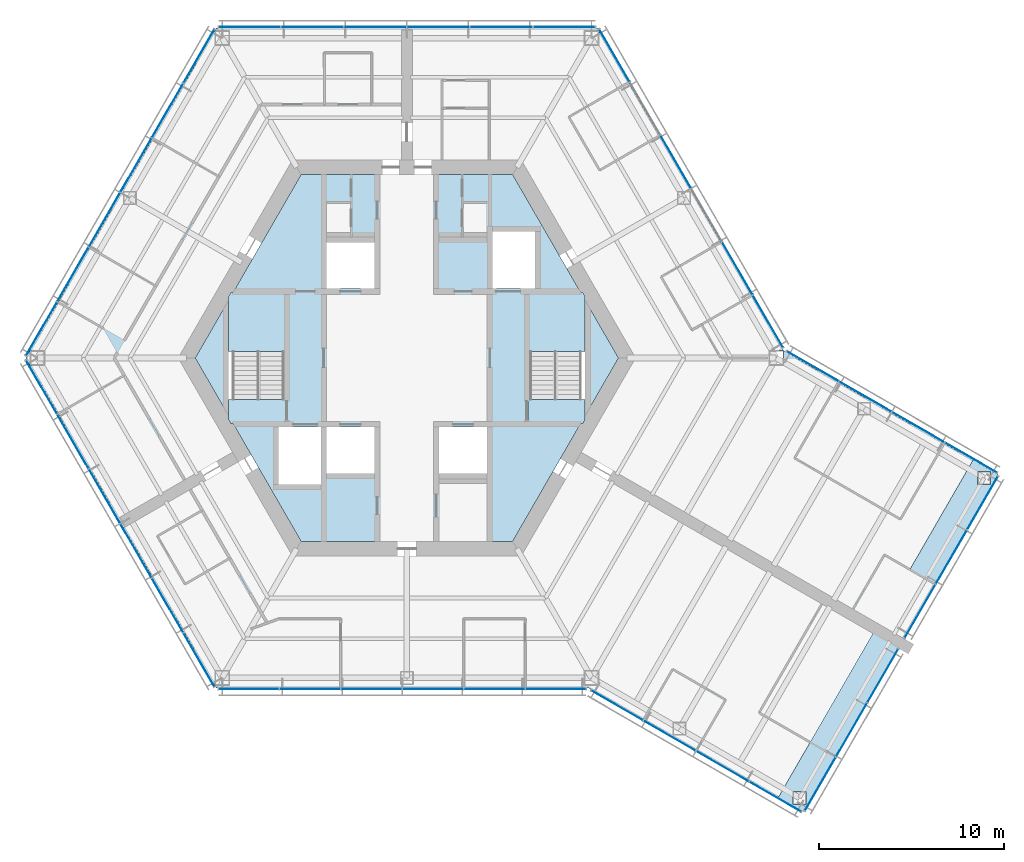
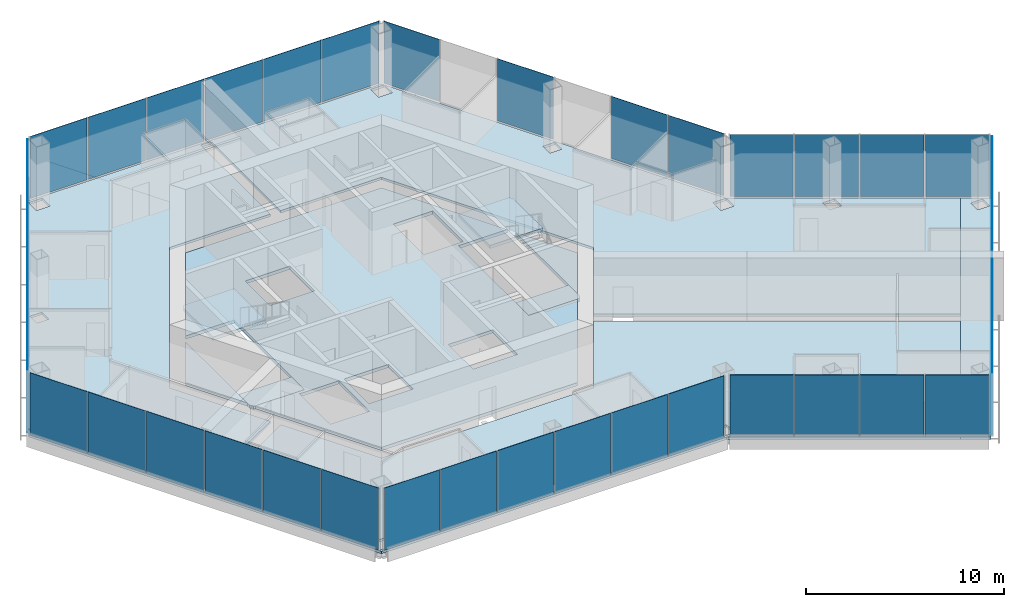
# One storey, part 8 of 16: 42 plates, 9 slabs, 11 elements without a shape of their own.
"""IFC4 building model written with IfcOpenShell, lengths in metres."""

from ifc_helpers import new_model, si_unit, direction, frame, origin, origin_2d, place, context, subcontext, project, spatial, polyline, rectangle, outline, extrude, material, layer, layer_set, type_object, element, aggregate, save


model = new_model("IFC4")

# Units and contexts
model_context = context("Model", 3, precision=1e-05, world=origin(), true_north=direction((0.0, 1.0)))
body_context = subcontext(model_context, "Body", "Model", "MODEL_VIEW")
ifc_project = project(units=[si_unit("LENGTHUNIT", "METRE"), si_unit("AREAUNIT", "SQUARE_METRE"), si_unit("VOLUMEUNIT", "CUBIC_METRE"), si_unit("PLANEANGLEUNIT", "RADIAN"), si_unit("MASSUNIT", "GRAM", prefix="KILO")], contexts=[model_context])

# Site, building, storey
site_placement = place(None, origin())
site = spatial("IfcSite", under=ifc_project, at=site_placement, CompositionType="ELEMENT")
building_placement = place(site_placement, origin())
building = spatial("IfcBuilding", under=site, at=building_placement, Name="Kasaneha Research Tower", CompositionType="ELEMENT")
storey_placement = place(building_placement, frame((0.0, 0.0, 255.699951171875)))
storey = spatial("IfcBuildingStorey", under=building, at=storey_placement, Name="L64", CompositionType="ELEMENT", Elevation=255.699951171875)

# Curtain wall, plates
ifc_material_1 = material(Name="Glass and aluminium", Category="aluminium")
curtain_wall_type = type_object("IfcCurtainWallType", Name="High-rise office curtain wall", PredefinedType="USERDEFINED", material=ifc_material_1)
curtain_wall_1_placement = place(storey_placement, origin())
curtain_wall_1 = element("IfcCurtainWall", 1, at=curtain_wall_1_placement, inside=storey, type_object=curtain_wall_type, Name="CW-O3 L64 run 01a", ObjectType="UNITISED CURTAIN WALL", PredefinedType="USERDEFINED")
ifc_material_2 = material(Name="Laminated double glazing", Category="glass")
ifc_layer_1 = layer(ifc_material_2, 0.02392578125)
ifc_layer_set_1 = layer_set([ifc_layer_1], Name="CW-O3 glazed panel")
plate_type = type_object("IfcPlateType", Name="CW-O3 glazed panel", PredefinedType="CURTAIN_PANEL", material=ifc_layer_set_1)
plate_1_placement = place(storey_placement, frame((19.549072265625, 1.981201171875, 0.06005859375), z_axis=(0.0, 0.0, 1.0), x_axis=(-0.499999979232, 0.866025415775, 0.0)))
plate_1 = element("IfcPlate", 2, at=plate_1_placement, type_object=plate_type, Name="CW-O3 panel 1", PredefinedType="CURTAIN_PANEL", context=body_context, shape_type="SweptSolid", body=[
    extrude(rectangle(XDim=3.240966796875, YDim=0.02392578125, at=origin_2d()), origin(), (0.0, 0.0, 1.0), 3.840087890625),
])
plate_2_placement = place(storey_placement, frame((17.89111328125, 4.852783203125, 0.06005859375), z_axis=(0.0, 0.0, 1.0), x_axis=(-0.499999979232, 0.866025415775, 0.0)))
plate_2 = element("IfcPlate", 3, at=plate_2_placement, type_object=plate_type, Name="CW-O3 panel 2", PredefinedType="CURTAIN_PANEL", context=body_context, shape_type="SweptSolid", body=[
    extrude(rectangle(XDim=3.27099609375, YDim=0.02392578125, at=origin_2d()), origin(), (0.0, 0.0, 1.0), 3.840087890625),
])
plate_3_placement = place(storey_placement, frame((14.56005859375, 10.622314453125, 0.06005859375), z_axis=(0.0, 0.0, 1.0), x_axis=(-0.499999979232, 0.866025415775, 0.0)))
plate_3 = element("IfcPlate", 4, at=plate_3_placement, type_object=plate_type, Name="CW-O3 panel 4", PredefinedType="CURTAIN_PANEL", context=body_context, shape_type="SweptSolid", body=[
    extrude(rectangle(XDim=3.27099609375, YDim=0.02392578125, at=origin_2d()), origin(), (0.0, 0.0, 1.0), 3.840087890625),
])
plate_4_placement = place(storey_placement, frame((11.236572265625, 16.378662109375, 0.06005859375), z_axis=(0.0, 0.0, 1.0), x_axis=(-0.499999979232, 0.866025415775, 0.0)))
plate_4 = element("IfcPlate", 5, at=plate_4_placement, type_object=plate_type, Name="CW-O3 panel 6", PredefinedType="CURTAIN_PANEL", context=body_context, shape_type="SweptSolid", body=[
    extrude(rectangle(XDim=3.240966796875, YDim=0.02392578125, at=origin_2d()), origin(), (0.0, 0.0, 1.0), 3.840087890625),
])
aggregate(curtain_wall_1, [plate_1, plate_2, plate_3, plate_4])

curtain_wall_2_placement = place(storey_placement, origin())
curtain_wall_2 = element("IfcCurtainWall", 6, at=curtain_wall_2_placement, inside=storey, type_object=curtain_wall_type, Name="CW-O3 L64 run 02a", ObjectType="UNITISED CURTAIN WALL", PredefinedType="USERDEFINED")
plate_5_placement = place(storey_placement, frame((8.523681640625, 17.92041015625, 0.06005859375), z_axis=(0.0, 0.0, 1.0), x_axis=(-1.0, 0.0, 0.0)))
plate_5 = element("IfcPlate", 7, at=plate_5_placement, type_object=plate_type, Name="CW-O3 panel 1", PredefinedType="CURTAIN_PANEL", context=body_context, shape_type="SweptSolid", body=[
    extrude(rectangle(XDim=3.325439453125, YDim=0.02392578125, at=origin_2d()), origin(), (0.0, 0.0, 1.0), 3.840087890625),
])
plate_6_placement = place(storey_placement, frame((5.123291015625, 17.92041015625, 0.06005859375), z_axis=(0.0, 0.0, 1.0), x_axis=(-1.0, 0.0, 0.0)))
plate_6 = element("IfcPlate", 8, at=plate_6_placement, type_object=plate_type, Name="CW-O3 panel 2", PredefinedType="CURTAIN_PANEL", context=body_context, shape_type="SweptSolid", body=[
    extrude(rectangle(XDim=3.35546875, YDim=0.02392578125, at=origin_2d()), origin(), (0.0, 0.0, 1.0), 3.840087890625),
])
plate_7_placement = place(storey_placement, frame((1.707763671875, 17.92041015625, 0.06005859375), z_axis=(0.0, 0.0, 1.0), x_axis=(-1.0, 0.0, 0.0)))
plate_7 = element("IfcPlate", 9, at=plate_7_placement, type_object=plate_type, Name="CW-O3 panel 3", PredefinedType="CURTAIN_PANEL", context=body_context, shape_type="SweptSolid", body=[
    extrude(rectangle(XDim=3.35546875, YDim=0.02392578125, at=origin_2d()), origin(), (0.0, 0.0, 1.0), 3.840087890625),
])
plate_8_placement = place(storey_placement, frame((-1.707763671875, 17.92041015625, 0.06005859375), z_axis=(0.0, 0.0, 1.0), x_axis=(-1.0, 0.0, 0.0)))
plate_8 = element("IfcPlate", 10, at=plate_8_placement, type_object=plate_type, Name="CW-O3 panel 4", PredefinedType="CURTAIN_PANEL", context=body_context, shape_type="SweptSolid", body=[
    extrude(rectangle(XDim=3.35546875, YDim=0.02392578125, at=origin_2d()), origin(), (0.0, 0.0, 1.0), 3.840087890625),
])
plate_9_placement = place(storey_placement, frame((-5.123291015625, 17.92041015625, 0.06005859375), z_axis=(0.0, 0.0, 1.0), x_axis=(-1.0, 0.0, 0.0)))
plate_9 = element("IfcPlate", 11, at=plate_9_placement, type_object=plate_type, Name="CW-O3 panel 5", PredefinedType="CURTAIN_PANEL", context=body_context, shape_type="SweptSolid", body=[
    extrude(rectangle(XDim=3.35546875, YDim=0.02392578125, at=origin_2d()), origin(), (0.0, 0.0, 1.0), 3.840087890625),
])
plate_10_placement = place(storey_placement, frame((-8.523681640625, 17.92041015625, 0.06005859375), z_axis=(0.0, 0.0, 1.0), x_axis=(-1.0, 0.0, 0.0)))
plate_10 = element("IfcPlate", 12, at=plate_10_placement, type_object=plate_type, Name="CW-O3 panel 6", PredefinedType="CURTAIN_PANEL", context=body_context, shape_type="SweptSolid", body=[
    extrude(rectangle(XDim=3.325439453125, YDim=0.02392578125, at=origin_2d()), origin(), (0.0, 0.0, 1.0), 3.840087890625),
])
aggregate(curtain_wall_2, [plate_5, plate_6, plate_7, plate_8, plate_9, plate_10])

curtain_wall_3_placement = place(storey_placement, origin())
curtain_wall_3 = element("IfcCurtainWall", 13, at=curtain_wall_3_placement, inside=storey, type_object=curtain_wall_type, Name="CW-O3 L64 run 03a", ObjectType="UNITISED CURTAIN WALL", PredefinedType="USERDEFINED")
plate_11_placement = place(storey_placement, frame((-11.2578125, 16.342041015625, 0.06005859375), z_axis=(0.0, 0.0, 1.0), x_axis=(-0.499999995722, -0.866025406254, 0.0)))
plate_11 = element("IfcPlate", 14, at=plate_11_placement, type_object=plate_type, Name="CW-O3 panel 1", PredefinedType="CURTAIN_PANEL", context=body_context, shape_type="SweptSolid", body=[
    extrude(rectangle(XDim=3.325439453125, YDim=0.02392578125, at=origin_2d()), origin(), (0.0, 0.0, 1.0), 3.840087890625),
])
plate_12_placement = place(storey_placement, frame((-12.9580078125, 13.39697265625, 0.06005859375), z_axis=(0.0, 0.0, 1.0), x_axis=(-0.499999995722, -0.866025406254, 0.0)))
plate_12 = element("IfcPlate", 15, at=plate_12_placement, type_object=plate_type, Name="CW-O3 panel 2", PredefinedType="CURTAIN_PANEL", context=body_context, shape_type="SweptSolid", body=[
    extrude(rectangle(XDim=3.35546875, YDim=0.02392578125, at=origin_2d()), origin(), (0.0, 0.0, 1.0), 3.840087890625),
])
plate_13_placement = place(storey_placement, frame((-14.665771484375, 10.439208984375, 0.06005859375), z_axis=(0.0, 0.0, 1.0), x_axis=(-0.499999995722, -0.866025406254, 0.0)))
plate_13 = element("IfcPlate", 16, at=plate_13_placement, type_object=plate_type, Name="CW-O3 panel 3", PredefinedType="CURTAIN_PANEL", context=body_context, shape_type="SweptSolid", body=[
    extrude(rectangle(XDim=3.35546875, YDim=0.02392578125, at=origin_2d()), origin(), (0.0, 0.0, 1.0), 3.840087890625),
])
plate_14_placement = place(storey_placement, frame((-16.37353515625, 7.481201171875, 0.06005859375), z_axis=(0.0, 0.0, 1.0), x_axis=(-0.499999995722, -0.866025406254, 0.0)))
plate_14 = element("IfcPlate", 17, at=plate_14_placement, type_object=plate_type, Name="CW-O3 panel 4", PredefinedType="CURTAIN_PANEL", context=body_context, shape_type="SweptSolid", body=[
    extrude(rectangle(XDim=3.35546875, YDim=0.02392578125, at=origin_2d()), origin(), (0.0, 0.0, 1.0), 3.840087890625),
])
plate_15_placement = place(storey_placement, frame((-18.081298828125, 4.5234375, 0.06005859375), z_axis=(0.0, 0.0, 1.0), x_axis=(-0.499999995722, -0.866025406254, 0.0)))
plate_15 = element("IfcPlate", 18, at=plate_15_placement, type_object=plate_type, Name="CW-O3 panel 5", PredefinedType="CURTAIN_PANEL", context=body_context, shape_type="SweptSolid", body=[
    extrude(rectangle(XDim=3.35546875, YDim=0.02392578125, at=origin_2d()), origin(), (0.0, 0.0, 1.0), 3.840087890625),
])
plate_16_placement = place(storey_placement, frame((-19.781494140625, 1.57861328125, 0.06005859375), z_axis=(0.0, 0.0, 1.0), x_axis=(-0.499999995722, -0.866025406254, 0.0)))
plate_16 = element("IfcPlate", 19, at=plate_16_placement, type_object=plate_type, Name="CW-O3 panel 6", PredefinedType="CURTAIN_PANEL", context=body_context, shape_type="SweptSolid", body=[
    extrude(rectangle(XDim=3.325439453125, YDim=0.02392578125, at=origin_2d()), origin(), (0.0, 0.0, 1.0), 3.840087890625),
])
aggregate(curtain_wall_3, [plate_11, plate_12, plate_13, plate_14, plate_15, plate_16])

curtain_wall_4_placement = place(storey_placement, origin())
curtain_wall_4 = element("IfcCurtainWall", 20, at=curtain_wall_4_placement, inside=storey, type_object=curtain_wall_type, Name="CW-O3 L64 run 04a", ObjectType="UNITISED CURTAIN WALL", PredefinedType="USERDEFINED")
plate_17_placement = place(storey_placement, frame((-19.781494140625, -1.57861328125, 0.06005859375), z_axis=(0.0, 0.0, 1.0), x_axis=(0.499999995722, -0.866025406254, 0.0)))
plate_17 = element("IfcPlate", 21, at=plate_17_placement, type_object=plate_type, Name="CW-O3 panel 1", PredefinedType="CURTAIN_PANEL", context=body_context, shape_type="SweptSolid", body=[
    extrude(rectangle(XDim=3.325439453125, YDim=0.02392578125, at=origin_2d()), origin(), (0.0, 0.0, 1.0), 3.840087890625),
])
plate_18_placement = place(storey_placement, frame((-18.081298828125, -4.5234375, 0.06005859375), z_axis=(0.0, 0.0, 1.0), x_axis=(0.499999995722, -0.866025406254, 0.0)))
plate_18 = element("IfcPlate", 22, at=plate_18_placement, type_object=plate_type, Name="CW-O3 panel 2", PredefinedType="CURTAIN_PANEL", context=body_context, shape_type="SweptSolid", body=[
    extrude(rectangle(XDim=3.35546875, YDim=0.02392578125, at=origin_2d()), origin(), (0.0, 0.0, 1.0), 3.840087890625),
])
plate_19_placement = place(storey_placement, frame((-16.37353515625, -7.481201171875, 0.06005859375), z_axis=(0.0, 0.0, 1.0), x_axis=(0.499999995722, -0.866025406254, 0.0)))
plate_19 = element("IfcPlate", 23, at=plate_19_placement, type_object=plate_type, Name="CW-O3 panel 3", PredefinedType="CURTAIN_PANEL", context=body_context, shape_type="SweptSolid", body=[
    extrude(rectangle(XDim=3.35546875, YDim=0.02392578125, at=origin_2d()), origin(), (0.0, 0.0, 1.0), 3.840087890625),
])
plate_20_placement = place(storey_placement, frame((-14.665771484375, -10.439208984375, 0.06005859375), z_axis=(0.0, 0.0, 1.0), x_axis=(0.499999995722, -0.866025406254, 0.0)))
plate_20 = element("IfcPlate", 24, at=plate_20_placement, type_object=plate_type, Name="CW-O3 panel 4", PredefinedType="CURTAIN_PANEL", context=body_context, shape_type="SweptSolid", body=[
    extrude(rectangle(XDim=3.35546875, YDim=0.02392578125, at=origin_2d()), origin(), (0.0, 0.0, 1.0), 3.840087890625),
])
plate_21_placement = place(storey_placement, frame((-12.9580078125, -13.39697265625, 0.06005859375), z_axis=(0.0, 0.0, 1.0), x_axis=(0.499999995722, -0.866025406254, 0.0)))
plate_21 = element("IfcPlate", 25, at=plate_21_placement, type_object=plate_type, Name="CW-O3 panel 5", PredefinedType="CURTAIN_PANEL", context=body_context, shape_type="SweptSolid", body=[
    extrude(rectangle(XDim=3.35546875, YDim=0.02392578125, at=origin_2d()), origin(), (0.0, 0.0, 1.0), 3.840087890625),
])
plate_22_placement = place(storey_placement, frame((-11.2578125, -16.342041015625, 0.06005859375), z_axis=(0.0, 0.0, 1.0), x_axis=(0.499999995722, -0.866025406254, 0.0)))
plate_22 = element("IfcPlate", 26, at=plate_22_placement, type_object=plate_type, Name="CW-O3 panel 6", PredefinedType="CURTAIN_PANEL", context=body_context, shape_type="SweptSolid", body=[
    extrude(rectangle(XDim=3.325439453125, YDim=0.02392578125, at=origin_2d()), origin(), (0.0, 0.0, 1.0), 3.840087890625),
])
aggregate(curtain_wall_4, [plate_17, plate_18, plate_19, plate_20, plate_21, plate_22])

curtain_wall_5_placement = place(storey_placement, origin())
curtain_wall_5 = element("IfcCurtainWall", 27, at=curtain_wall_5_placement, inside=storey, type_object=curtain_wall_type, Name="CW-O3 L64 run 05a", ObjectType="UNITISED CURTAIN WALL", PredefinedType="USERDEFINED")
plate_23_placement = place(storey_placement, frame((-8.56591796875, -17.92041015625, 0.06005859375), z_axis=(0.0, 0.0, 1.0), x_axis=(1.0, 0.0, 0.0)))
plate_23 = element("IfcPlate", 28, at=plate_23_placement, type_object=plate_type, Name="CW-O3 panel 1", PredefinedType="CURTAIN_PANEL", context=body_context, shape_type="SweptSolid", body=[
    extrude(rectangle(XDim=3.240966796875, YDim=0.02392578125, at=origin_2d()), origin(), (0.0, 0.0, 1.0), 3.840087890625),
])
plate_24_placement = place(storey_placement, frame((-5.25, -17.92041015625, 0.06005859375), z_axis=(0.0, 0.0, 1.0), x_axis=(1.0, 0.0, 0.0)))
plate_24 = element("IfcPlate", 29, at=plate_24_placement, type_object=plate_type, Name="CW-O3 panel 2", PredefinedType="CURTAIN_PANEL", context=body_context, shape_type="SweptSolid", body=[
    extrude(rectangle(XDim=3.27099609375, YDim=0.02392578125, at=origin_2d()), origin(), (0.0, 0.0, 1.0), 3.840087890625),
])
plate_25_placement = place(storey_placement, frame((-1.9189453125, -17.92041015625, 0.06005859375), z_axis=(0.0, 0.0, 1.0), x_axis=(1.0, 0.0, 0.0)))
plate_25 = element("IfcPlate", 30, at=plate_25_placement, type_object=plate_type, Name="CW-O3 panel 3", PredefinedType="CURTAIN_PANEL", context=body_context, shape_type="SweptSolid", body=[
    extrude(rectangle(XDim=3.27099609375, YDim=0.02392578125, at=origin_2d()), origin(), (0.0, 0.0, 1.0), 3.840087890625),
])
plate_26_placement = place(storey_placement, frame((1.411865234375, -17.92041015625, 0.06005859375), z_axis=(0.0, 0.0, 1.0), x_axis=(1.0, 0.0, 0.0)))
plate_26 = element("IfcPlate", 31, at=plate_26_placement, type_object=plate_type, Name="CW-O3 panel 4", PredefinedType="CURTAIN_PANEL", context=body_context, shape_type="SweptSolid", body=[
    extrude(rectangle(XDim=3.27099609375, YDim=0.02392578125, at=origin_2d()), origin(), (0.0, 0.0, 1.0), 3.840087890625),
])
plate_27_placement = place(storey_placement, frame((4.742919921875, -17.92041015625, 0.06005859375), z_axis=(0.0, 0.0, 1.0), x_axis=(1.0, 0.0, 0.0)))
plate_27 = element("IfcPlate", 32, at=plate_27_placement, type_object=plate_type, Name="CW-O3 panel 5", PredefinedType="CURTAIN_PANEL", context=body_context, shape_type="SweptSolid", body=[
    extrude(rectangle(XDim=3.27099609375, YDim=0.02392578125, at=origin_2d()), origin(), (0.0, 0.0, 1.0), 3.840087890625),
])
plate_28_placement = place(storey_placement, frame((8.058837890625, -17.92041015625, 0.06005859375), z_axis=(0.0, 0.0, 1.0), x_axis=(1.0, 0.0, 0.0)))
plate_28 = element("IfcPlate", 33, at=plate_28_placement, type_object=plate_type, Name="CW-O3 panel 6", PredefinedType="CURTAIN_PANEL", context=body_context, shape_type="SweptSolid", body=[
    extrude(rectangle(XDim=3.240966796875, YDim=0.02392578125, at=origin_2d()), origin(), (0.0, 0.0, 1.0), 3.840087890625),
])
aggregate(curtain_wall_5, [plate_23, plate_24, plate_25, plate_26, plate_27, plate_28])

curtain_wall_6_placement = place(storey_placement, origin())
curtain_wall_6 = element("IfcCurtainWall", 34, at=curtain_wall_6_placement, inside=storey, type_object=curtain_wall_type, Name="CW-O3 L64 run 06a", ObjectType="UNITISED CURTAIN WALL", PredefinedType="USERDEFINED")
plate_29_placement = place(storey_placement, frame((11.3720703125, -18.805419921875, 0.06005859375), z_axis=(0.0, 0.0, 1.0), x_axis=(0.866025411464, -0.499999986699, 0.0)))
plate_29 = element("IfcPlate", 35, at=plate_29_placement, type_object=plate_type, Name="CW-O3 panel 1", PredefinedType="CURTAIN_PANEL", context=body_context, shape_type="SweptSolid", body=[
    extrude(rectangle(XDim=3.2197265625, YDim=0.02392578125, at=origin_2d()), origin(), (0.0, 0.0, 1.0), 3.840087890625),
])
plate_30_placement = place(storey_placement, frame((14.225341796875, -20.452880859375, 0.06005859375), z_axis=(0.0, 0.0, 1.0), x_axis=(0.866025411464, -0.499999986699, 0.0)))
plate_30 = element("IfcPlate", 36, at=plate_30_placement, type_object=plate_type, Name="CW-O3 panel 2", PredefinedType="CURTAIN_PANEL", context=body_context, shape_type="SweptSolid", body=[
    extrude(rectangle(XDim=3.249755859375, YDim=0.02392578125, at=origin_2d()), origin(), (0.0, 0.0, 1.0), 3.840087890625),
])
plate_31_placement = place(storey_placement, frame((17.091796875, -22.107666015625, 0.06005859375), z_axis=(0.0, 0.0, 1.0), x_axis=(0.866025411464, -0.499999986699, 0.0)))
plate_31 = element("IfcPlate", 37, at=plate_31_placement, type_object=plate_type, Name="CW-O3 panel 3", PredefinedType="CURTAIN_PANEL", context=body_context, shape_type="SweptSolid", body=[
    extrude(rectangle(XDim=3.249755859375, YDim=0.02392578125, at=origin_2d()), origin(), (0.0, 0.0, 1.0), 3.840087890625),
])
plate_32_placement = place(storey_placement, frame((19.945068359375, -23.755126953125, 0.06005859375), z_axis=(0.0, 0.0, 1.0), x_axis=(0.866025411464, -0.499999986699, 0.0)))
plate_32 = element("IfcPlate", 38, at=plate_32_placement, type_object=plate_type, Name="CW-O3 panel 4", PredefinedType="CURTAIN_PANEL", context=body_context, shape_type="SweptSolid", body=[
    extrude(rectangle(XDim=3.2197265625, YDim=0.02392578125, at=origin_2d()), origin(), (0.0, 0.0, 1.0), 3.840087890625),
])
aggregate(curtain_wall_6, [plate_29, plate_30, plate_31, plate_32])

curtain_wall_7_placement = place(storey_placement, origin())
curtain_wall_7 = element("IfcCurtainWall", 39, at=curtain_wall_7_placement, inside=storey, type_object=curtain_wall_type, Name="CW-O3 L64 run 07a", ObjectType="UNITISED CURTAIN WALL", PredefinedType="USERDEFINED")
plate_33_placement = place(storey_placement, frame((22.385498046875, -23.068359375, 0.06005859375), z_axis=(0.0, 0.0, 1.0), x_axis=(0.500000011442, 0.866025397178, 0.0)))
plate_33 = element("IfcPlate", 40, at=plate_33_placement, type_object=plate_type, Name="CW-O3 panel 1", PredefinedType="CURTAIN_PANEL", context=body_context, shape_type="SweptSolid", body=[
    extrude(rectangle(XDim=3.31005859375, YDim=0.02392578125, at=origin_2d()), origin(), (0.0, 0.0, 1.0), 3.840087890625),
])
plate_34_placement = place(storey_placement, frame((24.077880859375, -20.13671875, 0.06005859375), z_axis=(0.0, 0.0, 1.0), x_axis=(0.500000011442, 0.866025397178, 0.0)))
plate_34 = element("IfcPlate", 41, at=plate_34_placement, type_object=plate_type, Name="CW-O3 panel 2", PredefinedType="CURTAIN_PANEL", context=body_context, shape_type="SweptSolid", body=[
    extrude(rectangle(XDim=3.340087890625, YDim=0.02392578125, at=origin_2d()), origin(), (0.0, 0.0, 1.0), 3.840087890625),
])
plate_35_placement = place(storey_placement, frame((25.7705078125, -17.205322265625, 0.06005859375), z_axis=(0.0, 0.0, 1.0), x_axis=(0.500000011442, 0.866025397178, 0.0)))
plate_35 = element("IfcPlate", 42, at=plate_35_placement, type_object=plate_type, Name="CW-O3 panel 3", PredefinedType="CURTAIN_PANEL", context=body_context, shape_type="SweptSolid", body=[
    extrude(rectangle(XDim=3.31005859375, YDim=0.02392578125, at=origin_2d()), origin(), (0.0, 0.0, 1.0), 3.840087890625),
])
aggregate(curtain_wall_7, [plate_33, plate_34, plate_35])

curtain_wall_8_placement = place(storey_placement, origin())
curtain_wall_8 = element("IfcCurtainWall", 43, at=curtain_wall_8_placement, inside=storey, type_object=curtain_wall_type, Name="CW-O3 L64 run 08a", ObjectType="UNITISED CURTAIN WALL", PredefinedType="USERDEFINED")
plate_36_placement = place(storey_placement, frame((27.785400390625, -13.71533203125, 0.06005859375), z_axis=(0.0, 0.0, 1.0), x_axis=(0.500000011442, 0.866025397178, 0.0)))
plate_36 = element("IfcPlate", 44, at=plate_36_placement, type_object=plate_type, Name="CW-O3 panel 1", PredefinedType="CURTAIN_PANEL", context=body_context, shape_type="SweptSolid", body=[
    extrude(rectangle(XDim=3.31005859375, YDim=0.02392578125, at=origin_2d()), origin(), (0.0, 0.0, 1.0), 3.840087890625),
])
plate_37_placement = place(storey_placement, frame((29.47802734375, -10.78369140625, 0.06005859375), z_axis=(0.0, 0.0, 1.0), x_axis=(0.500000011442, 0.866025397178, 0.0)))
plate_37 = element("IfcPlate", 45, at=plate_37_placement, type_object=plate_type, Name="CW-O3 panel 2", PredefinedType="CURTAIN_PANEL", context=body_context, shape_type="SweptSolid", body=[
    extrude(rectangle(XDim=3.340087890625, YDim=0.02392578125, at=origin_2d()), origin(), (0.0, 0.0, 1.0), 3.840087890625),
])
plate_38_placement = place(storey_placement, frame((31.17041015625, -7.852294921875, 0.06005859375), z_axis=(0.0, 0.0, 1.0), x_axis=(0.500000011442, 0.866025397178, 0.0)))
plate_38 = element("IfcPlate", 46, at=plate_38_placement, type_object=plate_type, Name="CW-O3 panel 3", PredefinedType="CURTAIN_PANEL", context=body_context, shape_type="SweptSolid", body=[
    extrude(rectangle(XDim=3.31005859375, YDim=0.02392578125, at=origin_2d()), origin(), (0.0, 0.0, 1.0), 3.840087890625),
])
aggregate(curtain_wall_8, [plate_36, plate_37, plate_38])

curtain_wall_9_placement = place(storey_placement, origin())
curtain_wall_9 = element("IfcCurtainWall", 47, at=curtain_wall_9_placement, inside=storey, type_object=curtain_wall_type, Name="CW-O3 L64 run 09a", ObjectType="UNITISED CURTAIN WALL", PredefinedType="USERDEFINED")
plate_39_placement = place(storey_placement, frame((30.545166015625, -5.3955078125, 0.06005859375), z_axis=(0.0, 0.0, 1.0), x_axis=(-0.866025411464, 0.499999986699, 0.0)))
plate_39 = element("IfcPlate", 48, at=plate_39_placement, type_object=plate_type, Name="CW-O3 panel 1", PredefinedType="CURTAIN_PANEL", context=body_context, shape_type="SweptSolid", body=[
    extrude(rectangle(XDim=3.2197265625, YDim=0.02392578125, at=origin_2d()), origin(), (0.0, 0.0, 1.0), 3.840087890625),
])
plate_40_placement = place(storey_placement, frame((27.69189453125, -3.748046875, 0.06005859375), z_axis=(0.0, 0.0, 1.0), x_axis=(-0.866025411464, 0.499999986699, 0.0)))
plate_40 = element("IfcPlate", 49, at=plate_40_placement, type_object=plate_type, Name="CW-O3 panel 2", PredefinedType="CURTAIN_PANEL", context=body_context, shape_type="SweptSolid", body=[
    extrude(rectangle(XDim=3.249755859375, YDim=0.02392578125, at=origin_2d()), origin(), (0.0, 0.0, 1.0), 3.840087890625),
])
plate_41_placement = place(storey_placement, frame((24.825439453125, -2.093017578125, 0.06005859375), z_axis=(0.0, 0.0, 1.0), x_axis=(-0.866025411464, 0.499999986699, 0.0)))
plate_41 = element("IfcPlate", 50, at=plate_41_placement, type_object=plate_type, Name="CW-O3 panel 3", PredefinedType="CURTAIN_PANEL", context=body_context, shape_type="SweptSolid", body=[
    extrude(rectangle(XDim=3.249755859375, YDim=0.02392578125, at=origin_2d()), origin(), (0.0, 0.0, 1.0), 3.840087890625),
])
plate_42_placement = place(storey_placement, frame((21.971923828125, -0.44580078125, 0.06005859375), z_axis=(0.0, 0.0, 1.0), x_axis=(-0.866025411464, 0.499999986699, 0.0)))
plate_42 = element("IfcPlate", 51, at=plate_42_placement, type_object=plate_type, Name="CW-O3 panel 4", PredefinedType="CURTAIN_PANEL", context=body_context, shape_type="SweptSolid", body=[
    extrude(rectangle(XDim=3.2197265625, YDim=0.02392578125, at=origin_2d()), origin(), (0.0, 0.0, 1.0), 3.840087890625),
])
aggregate(curtain_wall_9, [plate_39, plate_40, plate_41, plate_42])

# Slabs
ifc_material_3 = material(Name="Concrete Fc24", Category="concrete")
ifc_layer_2 = layer(ifc_material_3, 0.199951171875)
ifc_layer_set_2 = layer_set([ifc_layer_2], Name="Core floor slab 200")
slab_type_1 = type_object("IfcSlabType", Name="Core floor slab 200", PredefinedType="FLOOR", material=ifc_layer_set_2)
slab_1_placement = place(storey_placement, frame((0.0, 0.0, -0.199951171875)))
element("IfcSlab", 52, at=slab_1_placement, inside=storey, type_object=slab_type_1, Name="Core slab L64", PredefinedType="FLOOR", context=body_context, shape_type="SweptSolid", body=[
    extrude(outline(polyline([(-11.46044921875, 0.0), (-9.64990234375, 3.1357421875), (-9.64990234375, -3.1357421875), (-11.46044921875, 0.0)])), origin(), (0.0, 0.0, 1.0), 0.199951171875),
])
slab_2_placement = place(storey_placement, frame((0.0, 0.0, -0.199951171875)))
element("IfcSlab", 53, at=slab_2_placement, inside=storey, type_object=slab_type_1, Name="Core slab L64", PredefinedType="FLOOR", context=body_context, shape_type="SweptSolid", body=[
    extrude(outline(polyline([(-5.730224609375, 9.925048828125), (5.730224609375, 9.925048828125), (9.410888671875, 3.550048828125), (6.550048828125, 3.550048828125), (6.550048828125, -3.550048828125), (9.410888671875, -3.550048828125), (5.730224609375, -9.925048828125), (-5.730224609375, -9.925048828125), (-9.410888671875, -3.550048828125), (-6.550048828125, -3.550048828125), (-6.550048828125, 3.550048828125), (-9.410888671875, 3.550048828125), (-5.730224609375, 9.925048828125)]), holes=[polyline([(-6.949951171875, -6.85009765625), (-4.64990234375, -6.85009765625), (-4.64990234375, -3.75), (-6.949951171875, -3.75), (-6.949951171875, -6.85009765625)]), polyline([(-4.35009765625, -3.75), (-4.35009765625, -6.25), (-1.75, -6.25), (-1.75, -3.75), (-4.35009765625, -3.75)]), polyline([(1.75, -3.75), (1.75, -6.25), (4.35009765625, -6.25), (4.35009765625, -3.75), (1.75, -3.75)]), polyline([(-4.35009765625, 6.25), (-4.35009765625, 3.75), (-1.75, 3.75), (-1.75, 6.25), (-4.35009765625, 6.25)]), polyline([(4.64990234375, 6.85009765625), (4.64990234375, 3.75), (6.949951171875, 3.75), (6.949951171875, 6.85009765625), (4.64990234375, 6.85009765625)])]), origin(), (0.0, 0.0, 1.0), 0.199951171875),
])
slab_3_placement = place(storey_placement, frame((0.0, 0.0, -0.199951171875)))
element("IfcSlab", 54, at=slab_3_placement, inside=storey, type_object=slab_type_1, Name="Core slab L64", PredefinedType="FLOOR", context=body_context, shape_type="SweptSolid", body=[
    extrude(outline(polyline([(11.46044921875, 0.0), (9.64990234375, -3.1357421875), (9.64990234375, 3.1357421875), (11.46044921875, 0.0)])), origin(), (0.0, 0.0, 1.0), 0.199951171875),
])
ifc_material_4 = material(Name="Concrete Fc24", Category="concrete")
ifc_layer_3 = layer(ifc_material_4, 0.14990234375)
ifc_layer_set_3 = layer_set([ifc_layer_3], Name="Floor slab 150")
slab_type_2 = type_object("IfcSlabType", Name="Floor slab 150", PredefinedType="FLOOR", material=ifc_layer_set_3)
slab_4_placement = place(storey_placement, frame((0.0, 0.0, -0.14990234375)))
element("IfcSlab", 55, at=slab_4_placement, inside=storey, type_object=slab_type_2, Name="Floor slab L64 1", PredefinedType="FLOOR", context=body_context, shape_type="SweptSolid", body=[
    extrude(outline(polyline([(-10.317626953125, -17.87060546875), (-10.3974609375, -17.732177734375), (-10.385986328125, -17.720703125), (-9.599853515625, -17.720703125), (-9.599853515625, -16.92041015625), (-10.400146484375, -16.92041015625), (-10.400146484375, -17.70654296875), (-10.40771484375, -17.714111328125), (-20.635009765625, 0.0), (-20.40771484375, 0.3935546875), (-20.400146484375, 0.385986328125), (-20.400146484375, -0.400146484375), (-19.599853515625, -0.400146484375), (-19.599853515625, 0.400146484375), (-20.385986328125, 0.400146484375), (-20.3974609375, 0.41162109375), (-10.40771484375, 17.714111328125), (-10.400146484375, 17.70654296875), (-10.400146484375, 16.92041015625), (-9.599853515625, 16.92041015625), (-9.599853515625, 17.720703125), (-10.385986328125, 17.720703125), (-10.3974609375, 17.732177734375), (-10.317626953125, 17.87060546875), (10.317626953125, 17.87060546875), (10.3974609375, 17.732177734375), (10.385986328125, 17.720703125), (9.599853515625, 17.720703125), (9.599853515625, 16.92041015625), (10.400146484375, 16.92041015625), (10.400146484375, 17.70654296875), (10.40771484375, 17.714111328125), (20.3974609375, 0.41162109375), (20.385986328125, 0.400146484375), (19.599853515625, 0.400146484375), (19.599853515625, -0.400146484375), (20.400146484375, -0.400146484375), (20.400146484375, 0.385986328125), (20.41162109375, 0.3974609375), (30.65869140625, -5.518798828125), (25.53369140625, -14.3955078125), (9.438232421875, -5.102783203125), (12.38427734375, 0.0), (6.192138671875, 10.72509765625), (0.300048828125, 10.72509765625), (0.300048828125, 17.7705078125), (-0.300048828125, 17.7705078125), (-0.300048828125, 10.72509765625), (-6.192138671875, 10.72509765625), (-12.38427734375, 0.0), (-9.438232421875, -5.102783203125), (-15.539794921875, -8.62548828125), (-15.23974609375, -9.14501953125), (-9.13818359375, -5.622314453125), (-6.192138671875, -10.72509765625), (6.192138671875, -10.72509765625), (9.13818359375, -5.622314453125), (25.233642578125, -14.9150390625), (20.108642578125, -23.791748046875), (9.8525390625, -17.87060546875), (-10.317626953125, -17.87060546875)]), holes=[polyline([(-0.35009765625, -17.67041015625), (0.35009765625, -17.67041015625), (0.35009765625, -16.970458984375), (-0.35009765625, -16.970458984375), (-0.35009765625, -17.67041015625)]), polyline([(-15.35009765625, 8.310302734375), (-14.64990234375, 8.310302734375), (-14.64990234375, 9.01025390625), (-15.35009765625, 9.01025390625), (-15.35009765625, 8.310302734375)]), polyline([(14.4130859375, -20.42041015625), (15.113037109375, -20.42041015625), (15.113037109375, -19.720458984375), (14.4130859375, -19.720458984375), (14.4130859375, -20.42041015625)]), polyline([(9.60009765625, -17.720458984375), (10.39990234375, -17.720458984375), (10.39990234375, -16.92041015625), (9.60009765625, -16.92041015625), (9.60009765625, -17.720458984375)]), polyline([(24.4130859375, -3.10009765625), (25.113037109375, -3.10009765625), (25.113037109375, -2.39990234375), (24.4130859375, -2.39990234375), (24.4130859375, -3.10009765625)]), polyline([(14.64990234375, 9.01025390625), (14.64990234375, 8.310302734375), (15.35009765625, 8.310302734375), (15.35009765625, 9.01025390625), (14.64990234375, 9.01025390625)])]), origin(), (0.0, 0.0, 1.0), 0.14990234375),
])
slab_5_placement = place(storey_placement, frame((0.0, 0.0, -0.14990234375)))
element("IfcSlab", 56, at=slab_5_placement, inside=storey, type_object=slab_type_2, Name="Floor slab L64 2", PredefinedType="FLOOR", context=body_context, shape_type="SweptSolid", body=[
    extrude(outline(polyline([(32.009521484375, -6.298583984375), (21.459716796875, -24.57177734375), (20.108642578125, -23.791748046875), (25.233642578125, -14.9150390625), (25.2421875, -14.920166015625), (25.542236328125, -14.400390625), (25.53369140625, -14.3955078125), (30.65869140625, -5.518798828125), (32.009521484375, -6.298583984375)]), holes=[polyline([(20.908447265625, -24.17041015625), (21.6083984375, -24.17041015625), (21.6083984375, -23.470458984375), (20.908447265625, -23.470458984375), (20.908447265625, -24.17041015625)]), polyline([(30.908447265625, -6.85009765625), (31.6083984375, -6.85009765625), (31.6083984375, -6.14990234375), (30.908447265625, -6.14990234375), (30.908447265625, -6.85009765625)])]), origin(), (0.0, 0.0, 1.0), 0.14990234375),
])

# Stair, slabs
ifc_material_5 = material(Name="Concrete Fc24", Category="concrete")
stair_type = type_object("IfcStairType", Name="Half-turn stair 22 risers", PredefinedType="HALF_TURN_STAIR", material=ifc_material_5)
stair_1_placement = place(storey_placement, origin())
stair_1 = element("IfcStair", 57, at=stair_1_placement, inside=storey, type_object=stair_type, Name="Stair 1 L64", PredefinedType="HALF_TURN_STAIR")
ifc_material_6 = material(Name="Concrete Fc24", Category="concrete")
ifc_layer_4 = layer(ifc_material_6, 0.199951171875)
ifc_layer_set_4 = layer_set([ifc_layer_4], Name="Stair 1 landing 200")
slab_type_3 = type_object("IfcSlabType", Name="Stair 1 landing 200", PredefinedType="LANDING", material=ifc_layer_set_4)
slab_6_placement = place(storey_placement, frame((0.0, 0.0, -0.199951171875)))
slab_6 = element("IfcSlab", 58, at=slab_6_placement, type_object=slab_type_3, Name="ST1-22R landing 1", PredefinedType="LANDING", context=body_context, shape_type="SweptSolid", body=[
    extrude(outline(polyline([(9.5263671875, -3.550048828125), (6.550048828125, -3.550048828125), (6.550048828125, -2.25), (9.64990234375, -2.25), (9.64990234375, -3.335693359375), (9.5263671875, -3.550048828125)])), origin(), (0.0, 0.0, 1.0), 0.199951171875),
])
slab_7_placement = place(storey_placement, frame((0.0, 0.0, 1.75)))
slab_7 = element("IfcSlab", 59, at=slab_7_placement, type_object=slab_type_3, Name="ST1-22R landing 2", PredefinedType="LANDING", context=body_context, shape_type="SweptSolid", body=[
    extrude(outline(polyline([(6.550048828125, 3.550048828125), (9.5263671875, 3.550048828125), (9.64990234375, 3.335693359375), (9.64990234375, 0.35009765625), (6.550048828125, 0.35009765625), (6.550048828125, 3.550048828125)])), origin(), (0.0, 0.0, 1.0), 0.199951171875),
])
aggregate(stair_1, [slab_6, slab_7])

stair_2_placement = place(storey_placement, origin())
stair_2 = element("IfcStair", 60, at=stair_2_placement, inside=storey, type_object=stair_type, Name="Stair 2 L64", PredefinedType="HALF_TURN_STAIR")
ifc_material_7 = material(Name="Concrete Fc24", Category="concrete")
ifc_layer_5 = layer(ifc_material_7, 0.199951171875)
ifc_layer_set_5 = layer_set([ifc_layer_5], Name="Stair 2 landing 200")
slab_type_4 = type_object("IfcSlabType", Name="Stair 2 landing 200", PredefinedType="LANDING", material=ifc_layer_set_5)
slab_8_placement = place(storey_placement, frame((0.0, 0.0, -0.199951171875)))
slab_8 = element("IfcSlab", 61, at=slab_8_placement, type_object=slab_type_4, Name="ST2-22R landing 1", PredefinedType="LANDING", context=body_context, shape_type="SweptSolid", body=[
    extrude(outline(polyline([(-6.550048828125, -3.550048828125), (-9.5263671875, -3.550048828125), (-9.64990234375, -3.335693359375), (-9.64990234375, -2.25), (-6.550048828125, -2.25), (-6.550048828125, -3.550048828125)])), origin(), (0.0, 0.0, 1.0), 0.199951171875),
])
slab_9_placement = place(storey_placement, frame((0.0, 0.0, 1.75)))
slab_9 = element("IfcSlab", 62, at=slab_9_placement, type_object=slab_type_4, Name="ST2-22R landing 2", PredefinedType="LANDING", context=body_context, shape_type="SweptSolid", body=[
    extrude(outline(polyline([(-6.550048828125, 0.35009765625), (-9.64990234375, 0.35009765625), (-9.64990234375, 3.335693359375), (-9.5263671875, 3.550048828125), (-6.550048828125, 3.550048828125), (-6.550048828125, 0.35009765625)])), origin(), (0.0, 0.0, 1.0), 0.199951171875),
])
aggregate(stair_2, [slab_8, slab_9])

save(model, "model.ifc")
